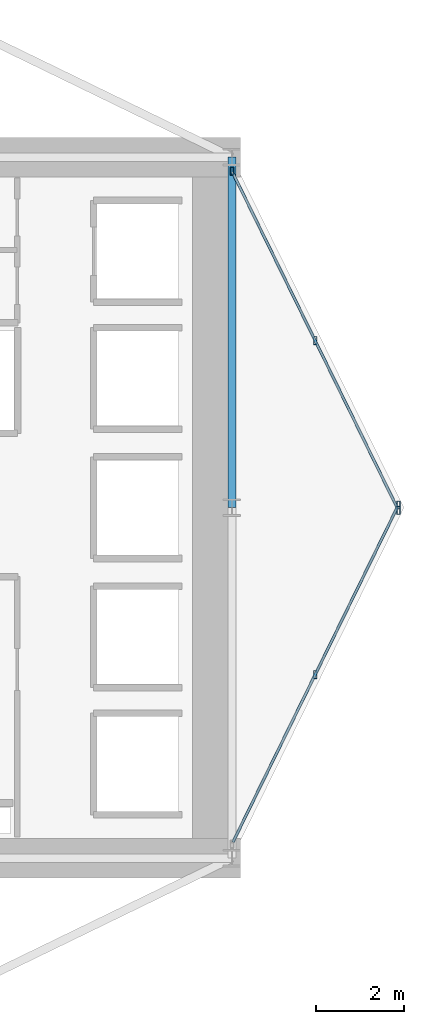
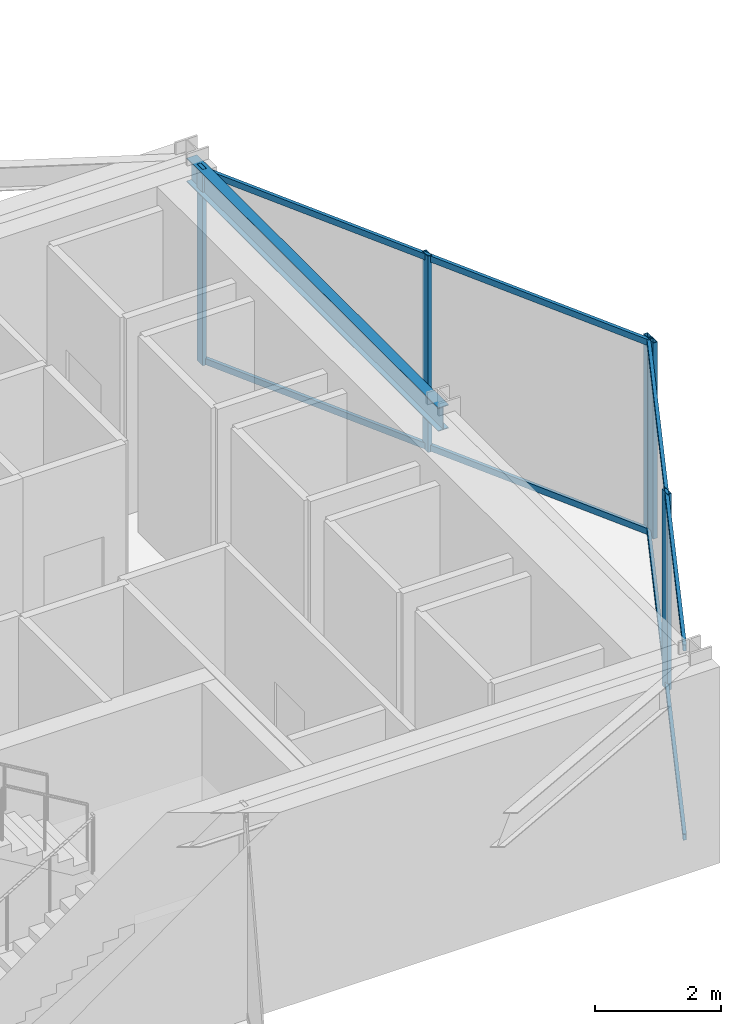
# One storey, part 19 of 29: 9 members, 1 beam, 2 elements without a shape of their own.
"""IFC4 building model written with IfcOpenShell, lengths in metres."""

import ifcopenshell
import ifcopenshell.guid

model = None  # the IFC model being written
_history = None  # IfcOwnerHistory: only IFC2X3 demands one
_inside = {}  # id of a spatial element -> (the spatial element, [elements in it])
_under = {}  # id of a project, library or spatial element -> (it, [spatial elements below it])
_declared = {}  # id of a project -> (the project, [libraries it declares])
_typed = {}  # id of a type object -> (the type object, [elements of that type])
_made_of = {}  # id of a material, layer set ... -> (it, [elements and type objects made of it])


def new_model(schema):
    """Start an empty IFC model of exactly this schema.

    Asked for "IFC4X3", IfcOpenShell would pick the latest addendum, in which some entities
    have other attributes; the version numbers below select the first issue.
    IFC2X3 requires an IfcOwnerHistory on every rooted entity: one is made here for all.
    """
    global model, _history
    if schema == "IFC4X3":
        model = ifcopenshell.file(schema_version=(4, 3, 0, 0))
    else:
        model = ifcopenshell.file(schema=schema)
    _inside.clear()
    _under.clear()
    _declared.clear()
    _typed.clear()
    _made_of.clear()
    _history = None
    if model.schema == "IFC2X3":
        org = make("IfcOrganization", Name="unknown")
        user = make(
            "IfcPersonAndOrganization",
            ThePerson=make("IfcPerson", FamilyName="unknown"),
            TheOrganization=org,
        )
        app = make(
            "IfcApplication",
            ApplicationDeveloper=org,
            Version="unknown",
            ApplicationFullName="unknown",
            ApplicationIdentifier="unknown",
        )
        _history = make(
            "IfcOwnerHistory",
            OwningUser=user,
            OwningApplication=app,
            ChangeAction="ADDED",
            CreationDate=0,
        )
    return model


def make(cls, **values):
    """One entity of the class cls with the attributes given. An attribute that is None is left unset."""
    return model.create_entity(
        cls, **{name: value for name, value in values.items() if value is not None}
    )


def rooted(cls, **values):
    """An entity with a GlobalId (a new one), such as an element, a storey or a relation."""
    return make(cls, GlobalId=ifcopenshell.guid.new(), OwnerHistory=_history, **values)


def si_unit(unit_type, name, prefix=None):
    """IfcSIUnit, for example si_unit("LENGTHUNIT", "METRE", prefix="MILLI")."""
    return make("IfcSIUnit", UnitType=unit_type, Prefix=prefix, Name=name)


def assignment(units):
    """IfcUnitAssignment: the units of a project."""
    return None if units is None else make("IfcUnitAssignment", Units=units)


def point(xyz):
    """IfcCartesianPoint."""
    return None if xyz is None else make("IfcCartesianPoint", Coordinates=xyz)


def direction(xyz):
    """IfcDirection."""
    return None if xyz is None else make("IfcDirection", DirectionRatios=xyz)


def frame(location, z_axis=None, x_axis=None):
    """IfcAxis2Placement3D, a coordinate frame: its origin and axes. An axis left out is left unset."""
    return make(
        "IfcAxis2Placement3D",
        Location=point(location),
        Axis=direction(z_axis),
        RefDirection=direction(x_axis),
    )


def frame_2d(location, x_axis=None):
    """IfcAxis2Placement2D, a coordinate frame in the plane: its origin and x axis."""
    return make(
        "IfcAxis2Placement2D", Location=point(location), RefDirection=direction(x_axis)
    )


def origin():
    """The frame at (0, 0, 0) with its axes left unset."""
    return frame((0.0, 0.0, 0.0))


def origin_2d():
    """The frame at (0, 0) in the plane with its x axis left unset."""
    return frame_2d((0.0, 0.0))


def place(relative_to, where):
    """IfcLocalPlacement: puts the frame where relative to a parent placement (None: the world)."""
    return make(
        "IfcLocalPlacement", PlacementRelTo=relative_to, RelativePlacement=where
    )


def context(
    kind, dimensions, precision=None, world=None, true_north=None, identifier=None
):
    """IfcGeometricRepresentationContext, for example the 3D "Model" context."""
    return make(
        "IfcGeometricRepresentationContext",
        ContextIdentifier=identifier,
        ContextType=kind,
        CoordinateSpaceDimension=dimensions,
        Precision=precision,
        WorldCoordinateSystem=world,
        TrueNorth=true_north,
    )


def subcontext(parent, identifier, kind, view, scale=None):
    """IfcGeometricRepresentationSubContext, for example "Body" below "Model"."""
    return make(
        "IfcGeometricRepresentationSubContext",
        ContextIdentifier=identifier,
        ContextType=kind,
        ParentContext=parent,
        TargetScale=scale,
        TargetView=view,
    )


def project(units=None, contexts=None):
    """IfcProject with its units and contexts."""
    return rooted(
        "IfcProject",
        Name="project",
        RepresentationContexts=contexts,
        UnitsInContext=assignment(units),
    )


def spatial(cls, under=None, at=None, **own):
    """A site, building, storey or space (cls), placed at a placement, below another one or the project."""
    s = rooted(cls, ObjectPlacement=at, **own)
    if under is not None:
        _under.setdefault(under.id(), (under, []))[1].append(s)
    return s


def profile(cls, at=None, kind="AREA", **sizes):
    """A parametric profile (cls). Its sizes go by their IFC names, for example OverallWidth=200.0."""
    return make(cls, ProfileType=kind, Position=at, **sizes)


def hollow_rectangle(**sizes):
    """IfcRectangleHollowProfileDef."""
    return profile("IfcRectangleHollowProfileDef", **sizes)


def i_section(**sizes):
    """IfcIShapeProfileDef."""
    return profile("IfcIShapeProfileDef", **sizes)


def extrude(swept, where, along, depth):
    """IfcExtrudedAreaSolid: the profile swept, set in the frame where, extruded along a direction by depth."""
    return make(
        "IfcExtrudedAreaSolid",
        SweptArea=swept,
        Position=where,
        ExtrudedDirection=direction(along),
        Depth=depth,
    )


def shape(context_of_items, identifier, shape_type, items):
    """IfcShapeRepresentation: the items that make up one representation, for example the "Body"."""
    return make(
        "IfcShapeRepresentation",
        ContextOfItems=context_of_items,
        RepresentationIdentifier=identifier,
        RepresentationType=shape_type,
        Items=items,
    )


def material(Name=None, Category=None):
    """IfcMaterial."""
    return make("IfcMaterial", Name=Name, Category=Category)


def layer(
    of_material, thickness, ventilated=None, Name=None, Category=None, Priority=None
):
    """IfcMaterialLayer: one layer of a wall or slab, of a material (None: an air gap)."""
    return make(
        "IfcMaterialLayer",
        Material=of_material,
        LayerThickness=thickness,
        IsVentilated=ventilated,
        Name=Name,
        Category=Category,
        Priority=Priority,
    )


def layer_set(layers, Name=None):
    """IfcMaterialLayerSet."""
    return make("IfcMaterialLayerSet", MaterialLayers=layers, LayerSetName=Name)


def material_profile(
    of_material, cross_section, Name=None, Category=None, Priority=None
):
    """IfcMaterialProfile: a cross section and its material."""
    return make(
        "IfcMaterialProfile",
        Name=Name,
        Material=of_material,
        Profile=cross_section,
        Priority=Priority,
        Category=Category,
    )


def profile_set(profiles, Name=None, composite=None):
    """IfcMaterialProfileSet."""
    return make(
        "IfcMaterialProfileSet",
        Name=Name,
        MaterialProfiles=profiles,
        CompositeProfile=composite,
    )


def made_of(thing, what):
    """Note that an element or type object is made of a material, layer set ...; save() writes the relation."""
    if what is not None:
        _made_of.setdefault(what.id(), (what, []))[1].append(thing)
    return thing


def type_object(cls, material=None, **own):
    """A type object (cls), such as IfcWallType, which elements share."""
    return made_of(rooted(cls, **own), material)


def element(
    cls,
    number,
    at=None,
    inside=None,
    cuts=None,
    type_object=None,
    material=None,
    context=None,
    identifier="Body",
    shape_type=None,
    held_by="IfcProductDefinitionShape",
    body=None,
    shapes=None,
    **own,
):
    """One element of the class cls, such as IfcWall. Its Tag is "e" and its number.

    at: its placement. inside: the storey or other place that contains it. cuts: it is an
    opening in that element (IfcRelVoidsElement). A single representation is given by context,
    identifier, shape_type and body (its items); several are given by shapes. held_by: the class
    of the entity that holds the representations. save() writes the other relations.
    """
    e = rooted(cls, Tag="e%d" % number, ObjectPlacement=at, **own)
    if body is not None:
        shapes = [shape(context, identifier, shape_type, body)]
    if shapes is not None:
        e.Representation = make(held_by, Representations=shapes)
    if inside is not None:
        _inside.setdefault(inside.id(), (inside, []))[1].append(e)
    if cuts is not None:
        rooted(
            "IfcRelVoidsElement", RelatingBuildingElement=cuts, RelatedOpeningElement=e
        )
    if type_object is not None:
        _typed.setdefault(type_object.id(), (type_object, []))[1].append(e)
    return made_of(e, material)


def aggregate(whole, parts):
    """IfcRelAggregates: a whole, such as a stair, and the parts it consists of."""
    return rooted("IfcRelAggregates", RelatingObject=whole, RelatedObjects=parts)


def save(model, path):
    """Write the relations noted so far, then the file.

    IfcRelAggregates (storeys below a building ...), IfcRelContainedInSpatialStructure (elements
    in a storey), IfcRelDefinesByType, IfcRelAssociatesMaterial and IfcRelDeclares: one each for
    every whole, place, type object, material and project.
    """
    for whole, parts in _under.values():
        aggregate(whole, parts)
    for where, things in _inside.values():
        rooted(
            "IfcRelContainedInSpatialStructure",
            RelatedElements=things,
            RelatingStructure=where,
        )
    for kind, things in _typed.values():
        rooted("IfcRelDefinesByType", RelatedObjects=things, RelatingType=kind)
    for what, things in _made_of.values():
        rooted("IfcRelAssociatesMaterial", RelatedObjects=things, RelatingMaterial=what)
    for by, libraries in _declared.values():
        rooted("IfcRelDeclares", RelatingContext=by, RelatedDefinitions=libraries)
    model.write(path)


model = new_model("IFC4")

# Units and contexts
model_context = context("Model", 3, precision=1e-05, world=origin(), true_north=direction((0.0, 1.0)))
body_context = subcontext(model_context, "Body", "Model", "MODEL_VIEW")
ifc_project = project(units=[si_unit("LENGTHUNIT", "METRE"), si_unit("AREAUNIT", "SQUARE_METRE"), si_unit("VOLUMEUNIT", "CUBIC_METRE"), si_unit("PLANEANGLEUNIT", "RADIAN"), si_unit("MASSUNIT", "GRAM", prefix="KILO")], contexts=[model_context])

# Site, building, storey
site_placement = place(None, origin())
site = spatial("IfcSite", under=ifc_project, at=site_placement, CompositionType="ELEMENT")
building_placement = place(site_placement, origin())
building = spatial("IfcBuilding", under=site, at=building_placement, Name="Veymaron Broadcast Tower", CompositionType="ELEMENT")
storey_placement = place(building_placement, frame((0.0, 0.0, 62.10009765625)))
storey = spatial("IfcBuildingStorey", under=building, at=storey_placement, Name="L13", CompositionType="ELEMENT", Elevation=62.10009765625)

# Beam
ifc_material_1 = material(Name="Structural steel ASTM A992 Gr 50", Category="steel")
ifc_material_profile_1 = material_profile(ifc_material_1, i_section(OverallWidth=0.19091796875, OverallDepth=0.4599609375, WebThickness=0.010009765625, FlangeThickness=0.01611328125, at=origin_2d()), Name="W460X82")
ifc_profile_set_1 = profile_set([ifc_material_profile_1], Name="Structural steel ASTM A992 Gr 50")
beam_type = type_object("IfcBeamType", Name="BM-SP1", PredefinedType="SPANDREL", material=ifc_profile_set_1)
beam_placement = place(storey_placement, frame((54.60009765625, 24.0, 3.579833984375), z_axis=(0.0, 1.0, 0.0), x_axis=(-1.0, 0.0, 0.0)))
element("IfcBeam", 1, at=beam_placement, inside=storey, type_object=beam_type, Name="L13 primary structural floor girder", PredefinedType="SPANDREL", context=body_context, shape_type="SweptSolid", body=[
    extrude(i_section(OverallWidth=0.19091796875, OverallDepth=0.4599609375, WebThickness=0.010009765625, FlangeThickness=0.01611328125, at=origin_2d()), origin(), (0.0, 0.0, 1.0), 8.0),
])

# Curtain wall, members
ifc_material_2 = material(Name="Anodised aluminium AA 6063-T6 and laminated low-E dark glass", Category="aluminium")
ifc_layer = layer(ifc_material_2, 0.179931640625)
ifc_layer_set = layer_set([ifc_layer], Name="Anodised aluminium AA 6063-T6 and laminated low-E dark glass")
curtain_wall_type = type_object("IfcCurtainWallType", Name="CW-SYS-02", PredefinedType="NOTDEFINED", material=ifc_layer_set)
curtain_wall_1_placement = place(storey_placement, origin())
curtain_wall_1 = element("IfcCurtainWall", 2, at=curtain_wall_1_placement, inside=storey, type_object=curtain_wall_type, Name="L13 dark-glass curtain wall CW-L13-E2-1", PredefinedType="NOTDEFINED")
ifc_material_3 = material(Name="Anodised aluminium AA 6063-T6", Category="aluminium")
ifc_material_profile_2 = material_profile(ifc_material_3, hollow_rectangle(XDim=0.074951171875, YDim=0.179931640625, WallThickness=0.0048828125, at=origin_2d()), Name="AL180X75X5")
ifc_profile_set_2 = profile_set([ifc_material_profile_2], Name="Anodised aluminium AA 6063-T6")
member_type_1 = type_object("IfcMemberType", Name="CW-MUL-02", PredefinedType="MULLION", material=ifc_profile_set_2)
member_1_placement = place(storey_placement, frame((56.500732421875, 20.189697265625, 0.0), z_axis=(0.0, 0.0, 1.0), x_axis=(1.0, 0.0, 0.0)))
member_1 = element("IfcMember", 3, at=member_1_placement, type_object=member_type_1, Name="CW-L13-E2-1 mullion 1", PredefinedType="MULLION", context=body_context, shape_type="SweptSolid", body=[
    extrude(hollow_rectangle(XDim=0.074951171875, YDim=0.179931640625, WallThickness=0.0048828125, at=origin_2d()), origin(), (0.0, 0.0, 1.0), 3.809814453125),
])
member_2_placement = place(storey_placement, frame((58.4013671875, 24.061767578125, 0.0), z_axis=(0.0, 0.0, 1.0), x_axis=(1.0, 0.0, 0.0)))
member_2 = element("IfcMember", 4, at=member_2_placement, type_object=member_type_1, Name="CW-L13-E2-1 mullion 2", PredefinedType="MULLION", context=body_context, shape_type="SweptSolid", body=[
    extrude(hollow_rectangle(XDim=0.074951171875, YDim=0.179931640625, WallThickness=0.0048828125, at=origin_2d()), origin(), (0.0, 0.0, 1.0), 3.809814453125),
])

curtain_wall_2_placement = place(storey_placement, origin())
curtain_wall_2 = element("IfcCurtainWall", 5, at=curtain_wall_2_placement, inside=storey, type_object=curtain_wall_type, Name="L13 dark-glass curtain wall CW-L13-E3-1", PredefinedType="NOTDEFINED")
member_3_placement = place(storey_placement, frame((58.4013671875, 23.938232421875, 0.0), z_axis=(0.0, 0.0, 1.0), x_axis=(1.0, 0.0, 0.0)))
member_3 = element("IfcMember", 6, at=member_3_placement, type_object=member_type_1, Name="CW-L13-E3-1 mullion 0", PredefinedType="MULLION", context=body_context, shape_type="SweptSolid", body=[
    extrude(hollow_rectangle(XDim=0.074951171875, YDim=0.179931640625, WallThickness=0.0048828125, at=origin_2d()), origin(), (0.0, 0.0, 1.0), 3.809814453125),
])
member_4_placement = place(storey_placement, frame((56.500732421875, 27.810302734375, 0.0), z_axis=(0.0, 0.0, 1.0), x_axis=(1.0, 0.0, 0.0)))
member_4 = element("IfcMember", 7, at=member_4_placement, type_object=member_type_1, Name="CW-L13-E3-1 mullion 1", PredefinedType="MULLION", context=body_context, shape_type="SweptSolid", body=[
    extrude(hollow_rectangle(XDim=0.074951171875, YDim=0.179931640625, WallThickness=0.0048828125, at=origin_2d()), origin(), (0.0, 0.0, 1.0), 3.809814453125),
])
member_5_placement = place(storey_placement, frame((54.60009765625, 31.68212890625, 0.0), z_axis=(0.0, 0.0, 1.0), x_axis=(1.0, 0.0, 0.0)))
member_5 = element("IfcMember", 8, at=member_5_placement, type_object=member_type_1, Name="CW-L13-E3-1 mullion 2", PredefinedType="MULLION", context=body_context, shape_type="SweptSolid", body=[
    extrude(hollow_rectangle(XDim=0.074951171875, YDim=0.179931640625, WallThickness=0.0048828125, at=origin_2d()), origin(), (0.0, 0.0, 1.0), 3.809814453125),
])

# Member
ifc_material_profile_3 = material_profile(ifc_material_3, hollow_rectangle(XDim=0.06005859375, YDim=0.1201171875, WallThickness=0.00390625, at=origin_2d()), Name="AL120X60X4")
ifc_profile_set_3 = profile_set([ifc_material_profile_3], Name="Anodised aluminium AA 6063-T6")
member_type_2 = type_object("IfcMemberType", Name="CW-TRN-02", PredefinedType="USERDEFINED", material=ifc_profile_set_3)
member_6_placement = place(storey_placement, frame((54.6220703125, 16.36279296875, 0.06982421875), z_axis=(0.440661864018, 0.897673170814, 0.0), x_axis=(-0.897673170814, 0.440661864018, 0.0)))
member_6 = element("IfcMember", 9, at=member_6_placement, type_object=member_type_2, Name="CW-L13-E2-1 transom B", ObjectType="TRANSOM", PredefinedType="USERDEFINED", context=body_context, shape_type="SweptSolid", body=[
    extrude(hollow_rectangle(XDim=0.06005859375, YDim=0.1201171875, WallThickness=0.00390625, at=origin_2d()), origin(), (0.0, 0.0, 1.0), 8.526611328125),
])

member_7_placement = place(storey_placement, frame((54.6220703125, 16.36279296875, 3.739990234375), z_axis=(0.440661864018, 0.897673170814, 0.0), x_axis=(-0.897673170814, 0.440661864018, 0.0)))
member_7 = element("IfcMember", 10, at=member_7_placement, type_object=member_type_2, Name="CW-L13-E2-1 transom T", ObjectType="TRANSOM", PredefinedType="USERDEFINED", context=body_context, shape_type="SweptSolid", body=[
    extrude(hollow_rectangle(XDim=0.06005859375, YDim=0.1201171875, WallThickness=0.00390625, at=origin_2d()), origin(), (0.0, 0.0, 1.0), 8.526611328125),
])

aggregate(curtain_wall_1, [member_1, member_2, member_6, member_7])

member_8_placement = place(storey_placement, frame((58.37939453125, 23.983154296875, 0.06982421875), z_axis=(-0.440661864018, 0.897673170814, 0.0), x_axis=(-0.897673170814, -0.440661864018, 0.0)))
member_8 = element("IfcMember", 11, at=member_8_placement, type_object=member_type_2, Name="CW-L13-E3-1 transom B", ObjectType="TRANSOM", PredefinedType="USERDEFINED", context=body_context, shape_type="SweptSolid", body=[
    extrude(hollow_rectangle(XDim=0.06005859375, YDim=0.1201171875, WallThickness=0.00390625, at=origin_2d()), origin(), (0.0, 0.0, 1.0), 8.526611328125),
])

member_9_placement = place(storey_placement, frame((58.37939453125, 23.983154296875, 3.739990234375), z_axis=(-0.440661864018, 0.897673170814, 0.0), x_axis=(-0.897673170814, -0.440661864018, 0.0)))
member_9 = element("IfcMember", 12, at=member_9_placement, type_object=member_type_2, Name="CW-L13-E3-1 transom T", ObjectType="TRANSOM", PredefinedType="USERDEFINED", context=body_context, shape_type="SweptSolid", body=[
    extrude(hollow_rectangle(XDim=0.06005859375, YDim=0.1201171875, WallThickness=0.00390625, at=origin_2d()), origin(), (0.0, 0.0, 1.0), 8.526611328125),
])

aggregate(curtain_wall_2, [member_3, member_4, member_5, member_8, member_9])

save(model, "model.ifc")
